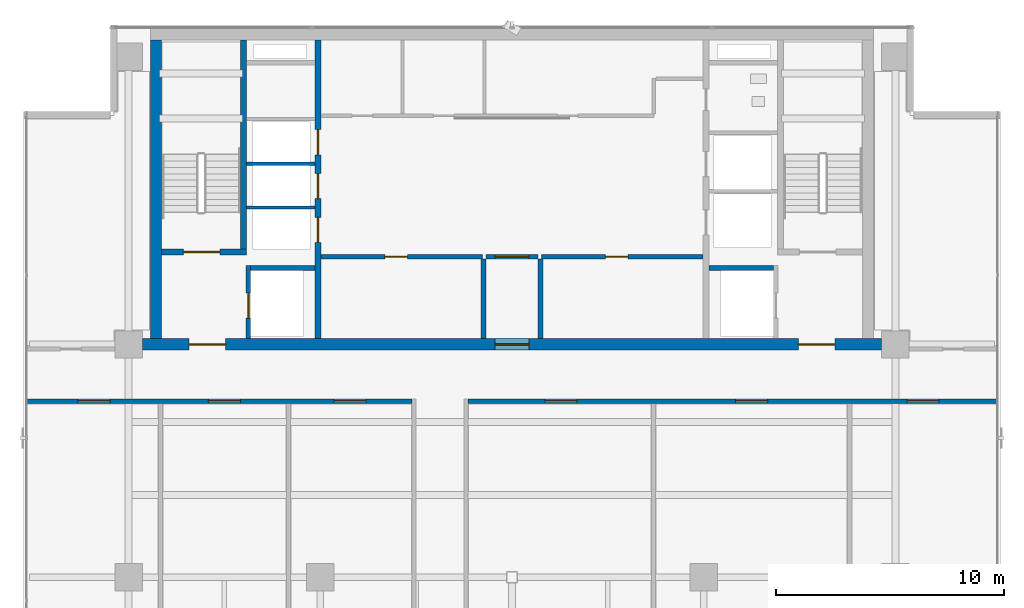
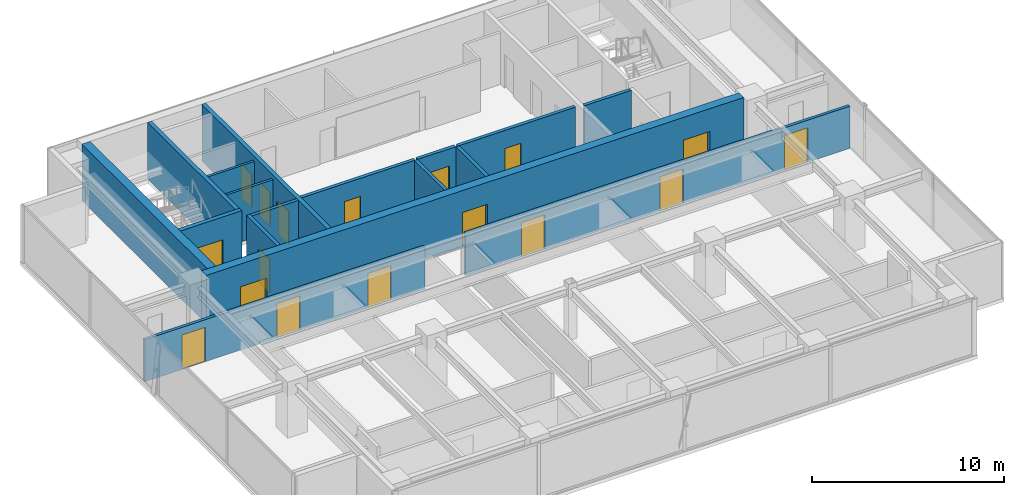
# One storey, part 15 of 21: 17 doors, 17 walls, 17 openings.
"""IFC4 building model written with IfcOpenShell, lengths in metres."""

from ifc_helpers import new_model, si_unit, direction, frame, frame_2d, origin, place, context, subcontext, project, spatial, rectangle, extrude, source, transform, mapped, material, layer, layer_set, type_object, element, fill, save


model = new_model("IFC4")

# Units and contexts
model_context = context("Model", 3, precision=1e-05, world=origin(), true_north=direction((0.0, 1.0)))
body_context = subcontext(model_context, "Body", "Model", "MODEL_VIEW")
ifc_project = project(units=[si_unit("LENGTHUNIT", "METRE"), si_unit("AREAUNIT", "SQUARE_METRE"), si_unit("VOLUMEUNIT", "CUBIC_METRE"), si_unit("PLANEANGLEUNIT", "RADIAN"), si_unit("MASSUNIT", "GRAM", prefix="KILO")], contexts=[model_context])

# Site, building, storey
site_placement = place(None, origin())
site = spatial("IfcSite", under=ifc_project, at=site_placement, CompositionType="ELEMENT")
building_placement = place(site_placement, origin())
building = spatial("IfcBuilding", under=site, at=building_placement, Name="Sumidabori Civic Tower", CompositionType="ELEMENT")
storey_placement = place(building_placement, frame((0.0, 0.0, 290.0)))
storey = spatial("IfcBuildingStorey", under=building, at=storey_placement, Name="L76", CompositionType="ELEMENT", Elevation=290.0)

# Walls
ifc_material_1 = material(Name="Concrete C50/60", Category="concrete")
ifc_layer_1 = layer(ifc_material_1, 0.199951171875, Name="Concrete C50/60")
ifc_layer_set_1 = layer_set([ifc_layer_1], Name="Concrete C50/60")
wall_type_1 = type_object("IfcWallType", Name="WL-SHAFT-200", PredefinedType="SHEAR", material=ifc_layer_set_1)
shared_shape_1 = source(origin(), body_context, "Body", "SweptSolid", [
    extrude(rectangle(XDim=2.824951171875, YDim=0.199951171875, at=frame_2d((1.41259765625, 0.0))), origin(), (0.0, 0.0, 1.0), 3.60009765625),
])
for number, where, z_axis, x_axis, name in (
    (1, (-11.449951171875, 13.550048828125, 0.0), (0.0, 0.0, 1.0), (1.0, 0.0, 0.0), "Core Shear Wall L76 EL1-N"),
    (2, (8.625, 13.550048828125, 0.0), (0.0, 0.0, 1.0), (1.0, 0.0, 0.0), "Core Shear Wall L76 EL2-N"),
):
    element("IfcWall", number, at=place(storey_placement, frame(where, z_axis=z_axis, x_axis=x_axis)), inside=storey, type_object=wall_type_1, Name=name, PredefinedType="SHEAR", context=body_context, shape_type="MappedRepresentation", body=[
        mapped(shared_shape_1, transform((0.0, 0.0, 0.0), x_axis=(1.0, 0.0, 0.0), y_axis=(0.0, 1.0, 0.0), z_axis=(0.0, 0.0, 1.0), scale=1.0)),
    ])
ifc_layer_2 = layer(ifc_material_1, 0.5, Name="Concrete C50/60")
ifc_layer_set_2 = layer_set([ifc_layer_2], Name="Concrete C50/60")
wall_type_2 = type_object("IfcWallType", Name="WL-CORE-500", PredefinedType="SHEAR", material=ifc_layer_set_2)
shared_shape_2 = source(origin(), body_context, "Body", "SweptSolid", [
    extrude(rectangle(XDim=13.10009765625, YDim=0.5, at=frame_2d((6.550048828125, 0.0))), origin(), (0.0, 0.0, 1.0), 3.60009765625),
])
wall_1_placement = place(storey_placement, frame((-15.60009765625, 10.449951171875, 0.0), z_axis=(0.0, 0.0, 1.0), x_axis=(0.0, 1.0, 0.0)))
element("IfcWall", 3, at=wall_1_placement, inside=storey, type_object=wall_type_2, Name="Core Shear Wall L76 W", PredefinedType="SHEAR", context=body_context, shape_type="MappedRepresentation", body=[
    mapped(shared_shape_2, transform((0.0, 0.0, 0.0), x_axis=(1.0, 0.0, 0.0), y_axis=(0.0, 1.0, 0.0), z_axis=(0.0, 0.0, 1.0), scale=1.0)),
])

# Wall, openings, doors
ifc_layer_3 = layer(ifc_material_1, 0.25, Name="Concrete C50/60")
ifc_layer_set_3 = layer_set([ifc_layer_3], Name="Concrete C50/60")
wall_type_3 = type_object("IfcWallType", Name="WL-SHAFT-250", PredefinedType="SHEAR", material=ifc_layer_set_3)
shared_shape_3 = source(origin(), body_context, "Body", "SweptSolid", [
    extrude(rectangle(XDim=13.10009765625, YDim=0.25, at=frame_2d((6.550048828125, 0.0))), origin(), (0.0, 0.0, 1.0), 3.60009765625),
])
wall_2_placement = place(storey_placement, frame((-8.5, 10.449951171875, 0.0), z_axis=(0.0, 0.0, 1.0), x_axis=(0.0, 1.0, 0.0)))
wall_2 = element("IfcWall", 4, at=wall_2_placement, inside=storey, type_object=wall_type_3, Name="Core Shear Wall L76 WEB-W", PredefinedType="SHEAR", context=body_context, shape_type="MappedRepresentation", body=[
    mapped(shared_shape_3, transform((0.0, 0.0, 0.0), x_axis=(1.0, 0.0, 0.0), y_axis=(0.0, 1.0, 0.0), z_axis=(0.0, 0.0, 1.0), scale=1.0)),
])
opening_1_placement = place(wall_2_placement, frame((4.219970703125, 0.0, 0.0)))
opening_1 = element("IfcOpeningElement", 5, at=opening_1_placement, cuts=wall_2, Name="Opening LD-1", PredefinedType="OPENING", context=body_context, shape_type="SweptSolid", body=[
    extrude(rectangle(XDim=1.10009765625, YDim=2.14990234375, at=frame_2d((0.550048828125, 1.074951171875))), frame((0.0, 0.136962890625, 0.0), z_axis=(0.0, -1.0, 0.0), x_axis=(1.0, 0.0, 0.0)), (0.0, 0.0, 1.0), 0.27392578125),
])
opening_2_placement = place(wall_2_placement, frame((6.139892578125, 0.0, 0.0)))
opening_2 = element("IfcOpeningElement", 6, at=opening_2_placement, cuts=wall_2, Name="Opening LD-1", PredefinedType="OPENING", context=body_context, shape_type="SweptSolid", body=[
    extrude(rectangle(XDim=1.10009765625, YDim=2.14990234375, at=frame_2d((0.550048828125, 1.074951171875))), frame((0.0, 0.136962890625, 0.0), z_axis=(0.0, -1.0, 0.0), x_axis=(1.0, 0.0, 0.0)), (0.0, 0.0, 1.0), 0.27392578125),
])
opening_3_placement = place(wall_2_placement, frame((8.06005859375, 0.0, 0.0)))
opening_3 = element("IfcOpeningElement", 7, at=opening_3_placement, cuts=wall_2, Name="Opening LD-1", PredefinedType="OPENING", context=body_context, shape_type="SweptSolid", body=[
    extrude(rectangle(XDim=1.10009765625, YDim=2.14990234375, at=frame_2d((0.550048828125, 1.074951171875))), frame((0.0, 0.136962890625, 0.0), z_axis=(0.0, -1.0, 0.0), x_axis=(1.0, 0.0, 0.0)), (0.0, 0.0, 1.0), 0.27392578125),
])
ifc_material_2 = material(Name="Stainless Steel Hairline Finish", Category="steel")
door_type_1 = type_object("IfcDoorType", Name="DR-LD1", OperationType="DOUBLE_DOOR_SLIDING", PredefinedType="DOOR", material=ifc_material_2)
shared_shape_4 = source(origin(), body_context, "Body", "SweptSolid", [
    extrude(rectangle(XDim=1.10009765625, YDim=2.14990234375, at=frame_2d((0.550048828125, 1.074951171875))), frame((0.0, 0.02490234375, 0.0), z_axis=(0.0, -1.0, 0.0), x_axis=(1.0, 0.0, 0.0)), (0.0, 0.0, 1.0), 0.050048828125),
])
door_1_placement = place(opening_1_placement, origin())
door_1 = element("IfcDoor", 8, at=door_1_placement, inside=storey, type_object=door_type_1, Name="Door DR:L76:LD-PLH1", OperationType="DOUBLE_DOOR_SLIDING", OverallHeight=2.14990234375, OverallWidth=1.10009765625, PredefinedType="DOOR", context=body_context, shape_type="MappedRepresentation", body=[
    mapped(shared_shape_4, transform((0.0, 0.0, 0.0), x_axis=(1.0, 0.0, 0.0), y_axis=(0.0, 1.0, 0.0), z_axis=(0.0, 0.0, 1.0), scale=1.0)),
])
fill(opening_1, door_1)
door_2_placement = place(opening_2_placement, origin())
door_2 = element("IfcDoor", 9, at=door_2_placement, inside=storey, type_object=door_type_1, Name="Door DR:L76:LD-PLH2", OperationType="DOUBLE_DOOR_SLIDING", OverallHeight=2.14990234375, OverallWidth=1.10009765625, PredefinedType="DOOR", context=body_context, shape_type="MappedRepresentation", body=[
    mapped(shared_shape_4, transform((0.0, 0.0, 0.0), x_axis=(1.0, 0.0, 0.0), y_axis=(0.0, 1.0, 0.0), z_axis=(0.0, 0.0, 1.0), scale=1.0)),
])
fill(opening_2, door_2)
door_3_placement = place(opening_3_placement, origin())
door_3 = element("IfcDoor", 10, at=door_3_placement, inside=storey, type_object=door_type_1, Name="Door DR:L76:LD-PLH3", OperationType="DOUBLE_DOOR_SLIDING", OverallHeight=2.14990234375, OverallWidth=1.10009765625, PredefinedType="DOOR", context=body_context, shape_type="MappedRepresentation", body=[
    mapped(shared_shape_4, transform((0.0, 0.0, 0.0), x_axis=(1.0, 0.0, 0.0), y_axis=(0.0, 1.0, 0.0), z_axis=(0.0, 0.0, 1.0), scale=1.0)),
])
fill(opening_3, door_3)

# Wall, opening, door
shared_shape_5 = source(origin(), body_context, "Body", "SweptSolid", [
    extrude(rectangle(XDim=3.705078125, YDim=0.25, at=frame_2d((1.8525390625, 0.0))), origin(), (0.0, 0.0, 1.0), 3.60009765625),
])
wall_3_placement = place(storey_placement, frame((-15.35009765625, 14.25, 0.0), z_axis=(0.0, 0.0, 1.0), x_axis=(1.0, 0.0, 0.0)))
wall_3 = element("IfcWall", 11, at=wall_3_placement, inside=storey, type_object=wall_type_3, Name="Core Shear Wall L76 ST1-S", PredefinedType="SHEAR", context=body_context, shape_type="MappedRepresentation", body=[
    mapped(shared_shape_5, transform((0.0, 0.0, 0.0), x_axis=(1.0, 0.0, 0.0), y_axis=(0.0, 1.0, 0.0), z_axis=(0.0, 0.0, 1.0), scale=1.0)),
])
opening_4_placement = place(wall_3_placement, frame((0.949951171875, 0.0, 0.0)))
opening_4 = element("IfcOpeningElement", 12, at=opening_4_placement, cuts=wall_3, Name="Opening DR-FD4", PredefinedType="OPENING", context=body_context, shape_type="SweptSolid", body=[
    extrude(rectangle(XDim=1.60009765625, YDim=2.14990234375, at=frame_2d((0.800048828125, 1.074951171875))), frame((0.0, 0.136962890625, 0.0), z_axis=(0.0, -1.0, 0.0), x_axis=(1.0, 0.0, 0.0)), (0.0, 0.0, 1.0), 0.27392578125),
])
ifc_material_3 = material(Name="Steel SN490", Category="steel")
door_type_2 = type_object("IfcDoorType", Name="DR-FD4", OperationType="DOUBLE_DOOR_SINGLE_SWING", PredefinedType="DOOR", material=ifc_material_3)
shared_shape_6 = source(origin(), body_context, "Body", "SweptSolid", [
    extrude(rectangle(XDim=1.60009765625, YDim=2.14990234375, at=frame_2d((0.800048828125, 1.074951171875))), frame((0.0, 0.02490234375, 0.0), z_axis=(0.0, -1.0, 0.0), x_axis=(1.0, 0.0, 0.0)), (0.0, 0.0, 1.0), 0.050048828125),
])
door_4_placement = place(opening_4_placement, origin())
door_4 = element("IfcDoor", 13, at=door_4_placement, inside=storey, type_object=door_type_2, Name="Door DR:L76:ST1", OperationType="DOUBLE_DOOR_SINGLE_SWING", OverallHeight=2.14990234375, OverallWidth=1.60009765625, PredefinedType="DOOR", context=body_context, shape_type="MappedRepresentation", body=[
    mapped(shared_shape_6, transform((0.0, 0.0, 0.0), x_axis=(1.0, 0.0, 0.0), y_axis=(0.0, 1.0, 0.0), z_axis=(0.0, 0.0, 1.0), scale=1.0)),
])
fill(opening_4, door_4)

# Wall
shared_shape_7 = source(origin(), body_context, "Body", "SweptSolid", [
    extrude(rectangle(XDim=9.175048828125, YDim=0.25, at=frame_2d((4.58740234375, 0.0))), origin(), (0.0, 0.0, 1.0), 3.60009765625),
])
wall_4_placement = place(storey_placement, frame((-11.77001953125, 14.375, 0.0), z_axis=(0.0, 0.0, 1.0), x_axis=(0.0, 1.0, 0.0)))
element("IfcWall", 14, at=wall_4_placement, inside=storey, type_object=wall_type_3, Name="Core Shear Wall L76 ST1-E", PredefinedType="SHEAR", context=body_context, shape_type="MappedRepresentation", body=[
    mapped(shared_shape_7, transform((0.0, 0.0, 0.0), x_axis=(1.0, 0.0, 0.0), y_axis=(0.0, 1.0, 0.0), z_axis=(0.0, 0.0, 1.0), scale=1.0)),
])

# Wall, opening, door
shared_shape_8 = source(origin(), body_context, "Body", "SweptSolid", [
    extrude(rectangle(XDim=3.199951171875, YDim=0.199951171875, at=frame_2d((1.60009765625, 0.0))), origin(), (0.0, 0.0, 1.0), 3.60009765625),
])
wall_5_placement = place(storey_placement, frame((-11.550048828125, 10.449951171875, 0.0), z_axis=(0.0, 0.0, 1.0), x_axis=(0.0, 1.0, 0.0)))
wall_5 = element("IfcWall", 15, at=wall_5_placement, inside=storey, type_object=wall_type_1, Name="Core Shear Wall L76 EL1-W", PredefinedType="SHEAR", context=body_context, shape_type="MappedRepresentation", body=[
    mapped(shared_shape_8, transform((0.0, 0.0, 0.0), x_axis=(1.0, 0.0, 0.0), y_axis=(0.0, 1.0, 0.0), z_axis=(0.0, 0.0, 1.0), scale=1.0)),
])
opening_5_placement = place(wall_5_placement, frame((0.89990234375, 0.0, 0.0)))
opening_5 = element("IfcOpeningElement", 16, at=opening_5_placement, cuts=wall_5, Name="Opening LD-2", PredefinedType="OPENING", context=body_context, shape_type="SweptSolid", body=[
    extrude(rectangle(XDim=1.10009765625, YDim=2.14990234375, at=frame_2d((0.550048828125, 1.074951171875))), frame((0.0, 0.11181640625, 0.0), z_axis=(0.0, -1.0, 0.0), x_axis=(1.0, 0.0, 0.0)), (0.0, 0.0, 1.0), 0.223876953125),
])
door_type_3 = type_object("IfcDoorType", Name="DR-LD2", OperationType="DOUBLE_DOOR_SLIDING", PredefinedType="DOOR", material=ifc_material_2)
door_5_placement = place(opening_5_placement, origin())
door_5 = element("IfcDoor", 17, at=door_5_placement, inside=storey, type_object=door_type_3, Name="Door DR:L76:LD-EL1", OperationType="DOUBLE_DOOR_SLIDING", OverallHeight=2.14990234375, OverallWidth=1.10009765625, PredefinedType="DOOR", context=body_context, shape_type="MappedRepresentation", body=[
    mapped(shared_shape_4, transform((0.0, 0.0, 0.0), x_axis=(1.0, 0.0, 0.0), y_axis=(0.0, 1.0, 0.0), z_axis=(0.0, 0.0, 1.0), scale=1.0)),
])
fill(opening_5, door_5)

# Wall, openings, doors
shared_shape_9 = source(origin(), body_context, "Body", "SweptSolid", [
    extrude(rectangle(XDim=32.39990234375, YDim=0.5, at=frame_2d((16.199951171875, 0.0))), origin(), (0.0, 0.0, 1.0), 3.60009765625),
])
wall_6_placement = place(storey_placement, frame((-16.199951171875, 10.199951171875, 0.0), z_axis=(0.0, 0.0, 1.0), x_axis=(1.0, 0.0, 0.0)))
wall_6 = element("IfcWall", 18, at=wall_6_placement, inside=storey, type_object=wall_type_2, Name="Core Shear Wall L76 S", PredefinedType="SHEAR", context=body_context, shape_type="MappedRepresentation", body=[
    mapped(shared_shape_9, transform((0.0, 0.0, 0.0), x_axis=(1.0, 0.0, 0.0), y_axis=(0.0, 1.0, 0.0), z_axis=(0.0, 0.0, 1.0), scale=1.0)),
])
opening_6_placement = place(wall_6_placement, frame((2.050048828125, 0.0, 0.0)))
opening_6 = element("IfcOpeningElement", 19, at=opening_6_placement, cuts=wall_6, Name="Opening DR-FD4", PredefinedType="OPENING", context=body_context, shape_type="SweptSolid", body=[
    extrude(rectangle(XDim=1.60009765625, YDim=2.14990234375, at=frame_2d((0.800048828125, 1.074951171875))), frame((0.0, 0.261962890625, 0.0), z_axis=(0.0, -1.0, 0.0), x_axis=(1.0, 0.0, 0.0)), (0.0, 0.0, 1.0), 0.52392578125),
])
opening_7_placement = place(wall_6_placement, frame((28.75, 0.0, 0.0)))
opening_7 = element("IfcOpeningElement", 20, at=opening_7_placement, cuts=wall_6, Name="Opening DR-FD4", PredefinedType="OPENING", context=body_context, shape_type="SweptSolid", body=[
    extrude(rectangle(XDim=1.60009765625, YDim=2.14990234375, at=frame_2d((0.800048828125, 1.074951171875))), frame((0.0, 0.261962890625, 0.0), z_axis=(0.0, -1.0, 0.0), x_axis=(1.0, 0.0, 0.0)), (0.0, 0.0, 1.0), 0.52392578125),
])
opening_8_placement = place(wall_6_placement, frame((15.449951171875, 0.0, 0.0)))
opening_8 = element("IfcOpeningElement", 21, at=opening_8_placement, cuts=wall_6, Name="Opening DR-FD3", PredefinedType="OPENING", context=body_context, shape_type="SweptSolid", body=[
    extrude(rectangle(XDim=1.5, YDim=2.199951171875, at=frame_2d((0.75, 1.10009765625))), frame((0.0, 0.261962890625, 0.0), z_axis=(0.0, -1.0, 0.0), x_axis=(1.0, 0.0, 0.0)), (0.0, 0.0, 1.0), 0.52392578125),
])
door_6_placement = place(opening_6_placement, origin())
door_6 = element("IfcDoor", 22, at=door_6_placement, inside=storey, type_object=door_type_2, Name="Door DR:L76:ELOB-W", OperationType="DOUBLE_DOOR_SINGLE_SWING", OverallHeight=2.14990234375, OverallWidth=1.60009765625, PredefinedType="DOOR", context=body_context, shape_type="MappedRepresentation", body=[
    mapped(shared_shape_6, transform((0.0, 0.0, 0.0), x_axis=(1.0, 0.0, 0.0), y_axis=(0.0, 1.0, 0.0), z_axis=(0.0, 0.0, 1.0), scale=1.0)),
])
fill(opening_6, door_6)
door_7_placement = place(opening_7_placement, origin())
door_7 = element("IfcDoor", 23, at=door_7_placement, inside=storey, type_object=door_type_2, Name="Door DR:L76:ELOB-E", OperationType="DOUBLE_DOOR_SINGLE_SWING", OverallHeight=2.14990234375, OverallWidth=1.60009765625, PredefinedType="DOOR", context=body_context, shape_type="MappedRepresentation", body=[
    mapped(shared_shape_6, transform((0.0, 0.0, 0.0), x_axis=(1.0, 0.0, 0.0), y_axis=(0.0, 1.0, 0.0), z_axis=(0.0, 0.0, 1.0), scale=1.0)),
])
fill(opening_7, door_7)
door_type_4 = type_object("IfcDoorType", Name="DR-FD-DBL", OperationType="DOUBLE_DOOR_SINGLE_SWING", PredefinedType="DOOR", material=ifc_material_3)
shared_shape_10 = source(origin(), body_context, "Body", "SweptSolid", [
    extrude(rectangle(XDim=1.5, YDim=2.199951171875, at=frame_2d((0.75, 1.10009765625))), frame((0.0, 0.02490234375, 0.0), z_axis=(0.0, -1.0, 0.0), x_axis=(1.0, 0.0, 0.0)), (0.0, 0.0, 1.0), 0.050048828125),
])
door_8_placement = place(opening_8_placement, origin())
door_8 = element("IfcDoor", 24, at=door_8_placement, inside=storey, type_object=door_type_4, Name="Door DR:L76:THROAT-OUT", OperationType="DOUBLE_DOOR_SINGLE_SWING", OverallHeight=2.199951171875, OverallWidth=1.5, PredefinedType="DOOR", context=body_context, shape_type="MappedRepresentation", body=[
    mapped(shared_shape_10, transform((0.0, 0.0, 0.0), x_axis=(1.0, 0.0, 0.0), y_axis=(0.0, 1.0, 0.0), z_axis=(0.0, 0.0, 1.0), scale=1.0)),
])
fill(opening_8, door_8)

# Walls
ifc_material_4 = material(Name="Gypsum Plasterboard Acoustic Partition")
ifc_layer_4 = layer(ifc_material_4, 0.14990234375, Name="Gypsum Plasterboard Acoustic Partition")
ifc_layer_set_4 = layer_set([ifc_layer_4], Name="Gypsum Plasterboard Acoustic Partition")
wall_type_4 = type_object("IfcWallType", Name="WL-PART-150", PredefinedType="PARTITIONING", material=ifc_layer_set_4)
shared_shape_11 = source(origin(), body_context, "Body", "SweptSolid", [
    extrude(rectangle(XDim=3.010009765625, YDim=0.14990234375, at=frame_2d((1.5048828125, 0.0))), origin(), (0.0, 0.0, 1.0), 3.300048828125),
])
for number, where, z_axis, x_axis, name in (
    (25, (-11.639892578125, 16.199951171875, 0.0), (0.0, 0.0, 1.0), (1.0, 0.0, 0.0), "Interior Partition WL:L76:DIV-PLH1"),
    (26, (-11.639892578125, 18.1201171875, 0.0), (0.0, 0.0, 1.0), (1.0, 0.0, 0.0), "Interior Partition WL:L76:DIV-PLH2"),
):
    element("IfcWall", number, at=place(storey_placement, frame(where, z_axis=z_axis, x_axis=x_axis)), inside=storey, type_object=wall_type_4, Name=name, PredefinedType="PARTITIONING", context=body_context, shape_type="MappedRepresentation", body=[
        mapped(shared_shape_11, transform((0.0, 0.0, 0.0), x_axis=(1.0, 0.0, 0.0), y_axis=(0.0, 1.0, 0.0), z_axis=(0.0, 0.0, 1.0), scale=1.0)),
    ])

# Wall, opening, door
ifc_material_5 = material(Name="Gypsum Plasterboard Fire Partition")
ifc_layer_5 = layer(ifc_material_5, 0.199951171875, Name="Gypsum Plasterboard Fire Partition")
ifc_layer_set_5 = layer_set([ifc_layer_5], Name="Gypsum Plasterboard Fire Partition")
wall_type_5 = type_object("IfcWallType", Name="WL-PART-FIRE", PredefinedType="PARTITIONING", material=ifc_layer_set_5)
shared_shape_12 = source(origin(), body_context, "Body", "SweptSolid", [
    extrude(rectangle(XDim=7.070068359375, YDim=0.199951171875, at=frame_2d((3.53515625, 0.0))), origin(), (0.0, 0.0, 1.0), 3.300048828125),
])
wall_7_placement = place(storey_placement, frame((-8.3701171875, 14.050048828125, 0.0), z_axis=(0.0, 0.0, 1.0), x_axis=(1.0, 0.0, 0.0)))
wall_7 = element("IfcWall", 27, at=wall_7_placement, inside=storey, type_object=wall_type_5, Name="Interior Partition WL:L76:CBAND-SW", PredefinedType="PARTITIONING", context=body_context, shape_type="MappedRepresentation", body=[
    mapped(shared_shape_12, transform((0.0, 0.0, 0.0), x_axis=(1.0, 0.0, 0.0), y_axis=(0.0, 1.0, 0.0), z_axis=(0.0, 0.0, 1.0), scale=1.0)),
])
opening_9_placement = place(wall_7_placement, frame((2.800048828125, 0.0, 0.0)))
opening_9 = element("IfcOpeningElement", 28, at=opening_9_placement, cuts=wall_7, Name="Opening DR-3", PredefinedType="OPENING", context=body_context, shape_type="SweptSolid", body=[
    extrude(rectangle(XDim=0.97998046875, YDim=2.14990234375, at=frame_2d((0.489990234375, 1.074951171875))), frame((0.0, 0.11181640625, 0.0), z_axis=(0.0, -1.0, 0.0), x_axis=(1.0, 0.0, 0.0)), (0.0, 0.0, 1.0), 0.223876953125),
])
ifc_material_6 = material(Name="Japanese Hinoki Timber", Category="wood")
door_type_5 = type_object("IfcDoorType", Name="DR-INT-980", OperationType="NOTDEFINED", PredefinedType="DOOR", material=ifc_material_6)
shared_shape_13 = source(origin(), body_context, "Body", "SweptSolid", [
    extrude(rectangle(XDim=0.97998046875, YDim=2.14990234375, at=frame_2d((0.489990234375, 1.074951171875))), frame((0.0, 0.02490234375, 0.0), z_axis=(0.0, -1.0, 0.0), x_axis=(1.0, 0.0, 0.0)), (0.0, 0.0, 1.0), 0.050048828125),
])
door_9_placement = place(opening_9_placement, origin())
door_9 = element("IfcDoor", 29, at=door_9_placement, inside=storey, type_object=door_type_5, Name="Door DR:L76:REC-B1", OperationType="SINGLE_SWING_LEFT", OverallHeight=2.14990234375, OverallWidth=0.97998046875, PredefinedType="DOOR", context=body_context, shape_type="MappedRepresentation", body=[
    mapped(shared_shape_13, transform((0.0, 0.0, 0.0), x_axis=(1.0, 0.0, 0.0), y_axis=(0.0, 1.0, 0.0), z_axis=(0.0, 0.0, 1.0), scale=1.0)),
])
fill(opening_9, door_9)

wall_8_placement = place(storey_placement, frame((1.300048828125, 14.050048828125, 0.0), z_axis=(0.0, 0.0, 1.0), x_axis=(1.0, 0.0, 0.0)))
wall_8 = element("IfcWall", 30, at=wall_8_placement, inside=storey, type_object=wall_type_5, Name="Interior Partition WL:L76:CBAND-SE", PredefinedType="PARTITIONING", context=body_context, shape_type="MappedRepresentation", body=[
    mapped(shared_shape_12, transform((0.0, 0.0, 0.0), x_axis=(1.0, 0.0, 0.0), y_axis=(0.0, 1.0, 0.0), z_axis=(0.0, 0.0, 1.0), scale=1.0)),
])
opening_10_placement = place(wall_8_placement, frame((2.800048828125, 0.0, 0.0)))
opening_10 = element("IfcOpeningElement", 31, at=opening_10_placement, cuts=wall_8, Name="Opening DR-3", PredefinedType="OPENING", context=body_context, shape_type="SweptSolid", body=[
    extrude(rectangle(XDim=0.97998046875, YDim=2.14990234375, at=frame_2d((0.489990234375, 1.074951171875))), frame((0.0, 0.11181640625, 0.0), z_axis=(0.0, -1.0, 0.0), x_axis=(1.0, 0.0, 0.0)), (0.0, 0.0, 1.0), 0.223876953125),
])
door_10_placement = place(opening_10_placement, origin())
door_10 = element("IfcDoor", 32, at=door_10_placement, inside=storey, type_object=door_type_5, Name="Door DR:L76:REC-B2", OperationType="SINGLE_SWING_RIGHT", OverallHeight=2.14990234375, OverallWidth=0.97998046875, PredefinedType="DOOR", context=body_context, shape_type="MappedRepresentation", body=[
    mapped(shared_shape_13, transform((0.0, 0.0, 0.0), x_axis=(1.0, 0.0, 0.0), y_axis=(0.0, 1.0, 0.0), z_axis=(0.0, 0.0, 1.0), scale=1.0)),
])
fill(opening_10, door_10)

shared_shape_14 = source(origin(), body_context, "Body", "SweptSolid", [
    extrude(rectangle(XDim=2.2998046875, YDim=0.199951171875, at=frame_2d((1.14990234375, 0.0))), origin(), (0.0, 0.0, 1.0), 3.300048828125),
])
wall_9_placement = place(storey_placement, frame((-1.14990234375, 14.050048828125, 0.0), z_axis=(0.0, 0.0, 1.0), x_axis=(1.0, 0.0, 0.0)))
wall_9 = element("IfcWall", 33, at=wall_9_placement, inside=storey, type_object=wall_type_5, Name="Interior Partition WL:L76:THROAT-N", PredefinedType="PARTITIONING", context=body_context, shape_type="MappedRepresentation", body=[
    mapped(shared_shape_14, transform((0.0, 0.0, 0.0), x_axis=(1.0, 0.0, 0.0), y_axis=(0.0, 1.0, 0.0), z_axis=(0.0, 0.0, 1.0), scale=1.0)),
])
opening_11_placement = place(wall_9_placement, frame((0.39990234375, 0.0, 0.0)))
opening_11 = element("IfcOpeningElement", 34, at=opening_11_placement, cuts=wall_9, Name="Opening DR-FD3", PredefinedType="OPENING", context=body_context, shape_type="SweptSolid", body=[
    extrude(rectangle(XDim=1.5, YDim=2.199951171875, at=frame_2d((0.75, 1.10009765625))), frame((0.0, 0.11181640625, 0.0), z_axis=(0.0, -1.0, 0.0), x_axis=(1.0, 0.0, 0.0)), (0.0, 0.0, 1.0), 0.223876953125),
])
door_11_placement = place(opening_11_placement, origin())
door_11 = element("IfcDoor", 35, at=door_11_placement, inside=storey, type_object=door_type_4, Name="Door DR:L76:THROAT-IN", OperationType="DOUBLE_DOOR_SINGLE_SWING", OverallHeight=2.199951171875, OverallWidth=1.5, PredefinedType="DOOR", context=body_context, shape_type="MappedRepresentation", body=[
    mapped(shared_shape_10, transform((0.0, 0.0, 0.0), x_axis=(1.0, 0.0, 0.0), y_axis=(0.0, 1.0, 0.0), z_axis=(0.0, 0.0, 1.0), scale=1.0)),
])
fill(opening_11, door_11)

# Walls
shared_shape_15 = source(origin(), body_context, "Body", "SweptSolid", [
    extrude(rectangle(XDim=3.489990234375, YDim=0.199951171875, at=frame_2d((1.7451171875, 0.0))), origin(), (0.0, 0.0, 1.0), 3.300048828125),
])
for number, where, z_axis, x_axis, name in (
    (36, (-1.25, 10.449951171875, 0.0), (0.0, 0.0, 1.0), (0.0, 1.0, 0.0), "Interior Partition WL:L76:THROAT-W"),
    (37, (1.25, 10.449951171875, 0.0), (0.0, 0.0, 1.0), (0.0, 1.0, 0.0), "Interior Partition WL:L76:THROAT-E"),
):
    element("IfcWall", number, at=place(storey_placement, frame(where, z_axis=z_axis, x_axis=x_axis)), inside=storey, type_object=wall_type_5, Name=name, PredefinedType="PARTITIONING", context=body_context, shape_type="MappedRepresentation", body=[
        mapped(shared_shape_15, transform((0.0, 0.0, 0.0), x_axis=(1.0, 0.0, 0.0), y_axis=(0.0, 1.0, 0.0), z_axis=(0.0, 0.0, 1.0), scale=1.0)),
    ])

# Wall, openings, doors
ifc_layer_6 = layer(ifc_material_4, 0.179931640625, Name="Gypsum Plasterboard Acoustic Partition")
ifc_layer_set_6 = layer_set([ifc_layer_6], Name="Gypsum Plasterboard Acoustic Partition")
wall_type_6 = type_object("IfcWallType", Name="WL-PART-180", PredefinedType="PARTITIONING", material=ifc_layer_set_6)
shared_shape_16 = source(origin(), body_context, "Body", "SweptSolid", [
    extrude(rectangle(XDim=16.8701171875, YDim=0.179931640625, at=frame_2d((8.43505859375, 0.0))), origin(), (0.0, 0.0, 1.0), 2.68505859375),
])
wall_10_placement = place(storey_placement, frame((-21.25, 7.7099609375, 0.0), z_axis=(0.0, 0.0, 1.0), x_axis=(1.0, 0.0, 0.0)))
wall_10 = element("IfcWall", 38, at=wall_10_placement, inside=storey, type_object=wall_type_6, Name="Interior Partition WL:L76:CORR-SW", PredefinedType="PARTITIONING", context=body_context, shape_type="MappedRepresentation", body=[
    mapped(shared_shape_16, transform((0.0, 0.0, 0.0), x_axis=(1.0, 0.0, 0.0), y_axis=(0.0, 1.0, 0.0), z_axis=(0.0, 0.0, 1.0), scale=1.0)),
])
opening_12_placement = place(wall_10_placement, frame((13.445068359375, 0.0, 0.0)))
opening_12 = element("IfcOpeningElement", 39, at=opening_12_placement, cuts=wall_10, Name="Opening DR-5", PredefinedType="OPENING", context=body_context, shape_type="SweptSolid", body=[
    extrude(rectangle(XDim=1.39990234375, YDim=2.199951171875, at=frame_2d((0.699951171875, 1.10009765625))), frame((0.0, 0.10205078125, 0.0), z_axis=(0.0, -1.0, 0.0), x_axis=(1.0, 0.0, 0.0)), (0.0, 0.0, 1.0), 0.203857421875),
])
opening_13_placement = place(wall_10_placement, frame((7.949951171875, 0.0, 0.0)))
opening_13 = element("IfcOpeningElement", 40, at=opening_13_placement, cuts=wall_10, Name="Opening DR-5", PredefinedType="OPENING", context=body_context, shape_type="SweptSolid", body=[
    extrude(rectangle(XDim=1.39990234375, YDim=2.199951171875, at=frame_2d((0.699951171875, 1.10009765625))), frame((0.0, 0.10205078125, 0.0), z_axis=(0.0, -1.0, 0.0), x_axis=(1.0, 0.0, 0.0)), (0.0, 0.0, 1.0), 0.203857421875),
])
opening_14_placement = place(wall_10_placement, frame((2.239990234375, 0.0, 0.0)))
opening_14 = element("IfcOpeningElement", 41, at=opening_14_placement, cuts=wall_10, Name="Opening DR-5", PredefinedType="OPENING", context=body_context, shape_type="SweptSolid", body=[
    extrude(rectangle(XDim=1.39990234375, YDim=2.199951171875, at=frame_2d((0.699951171875, 1.10009765625))), frame((0.0, 0.10205078125, 0.0), z_axis=(0.0, -1.0, 0.0), x_axis=(1.0, 0.0, 0.0)), (0.0, 0.0, 1.0), 0.203857421875),
])
ifc_material_7 = material(Name="Anodised Bronze Aluminium AW-6063-T6", Category="aluminium")
door_type_6 = type_object("IfcDoorType", Name="DR-DBL-1400", OperationType="DOUBLE_DOOR_SINGLE_SWING", PredefinedType="DOOR", material=ifc_material_7)
shared_shape_17 = source(origin(), body_context, "Body", "SweptSolid", [
    extrude(rectangle(XDim=1.39990234375, YDim=2.199951171875, at=frame_2d((0.699951171875, 1.10009765625))), frame((0.0, 0.02490234375, 0.0), z_axis=(0.0, -1.0, 0.0), x_axis=(1.0, 0.0, 0.0)), (0.0, 0.0, 1.0), 0.050048828125),
])
door_12_placement = place(opening_12_placement, origin())
door_12 = element("IfcDoor", 42, at=door_12_placement, inside=storey, type_object=door_type_6, Name="Door DR:L76:D03", OperationType="DOUBLE_DOOR_SINGLE_SWING", OverallHeight=2.199951171875, OverallWidth=1.39990234375, PredefinedType="DOOR", context=body_context, shape_type="MappedRepresentation", body=[
    mapped(shared_shape_17, transform((0.0, 0.0, 0.0), x_axis=(1.0, 0.0, 0.0), y_axis=(0.0, 1.0, 0.0), z_axis=(0.0, 0.0, 1.0), scale=1.0)),
])
fill(opening_12, door_12)
door_13_placement = place(opening_13_placement, origin())
door_13 = element("IfcDoor", 43, at=door_13_placement, inside=storey, type_object=door_type_6, Name="Door DR:L76:D04", OperationType="DOUBLE_DOOR_SINGLE_SWING", OverallHeight=2.199951171875, OverallWidth=1.39990234375, PredefinedType="DOOR", context=body_context, shape_type="MappedRepresentation", body=[
    mapped(shared_shape_17, transform((0.0, 0.0, 0.0), x_axis=(1.0, 0.0, 0.0), y_axis=(0.0, 1.0, 0.0), z_axis=(0.0, 0.0, 1.0), scale=1.0)),
])
fill(opening_13, door_13)
door_14_placement = place(opening_14_placement, origin())
door_14 = element("IfcDoor", 44, at=door_14_placement, inside=storey, type_object=door_type_6, Name="Door DR:L76:D07", OperationType="DOUBLE_DOOR_SINGLE_SWING", OverallHeight=2.199951171875, OverallWidth=1.39990234375, PredefinedType="DOOR", context=body_context, shape_type="MappedRepresentation", body=[
    mapped(shared_shape_17, transform((0.0, 0.0, 0.0), x_axis=(1.0, 0.0, 0.0), y_axis=(0.0, 1.0, 0.0), z_axis=(0.0, 0.0, 1.0), scale=1.0)),
])
fill(opening_14, door_14)

shared_shape_18 = source(origin(), body_context, "Body", "SweptSolid", [
    extrude(rectangle(XDim=23.169921875, YDim=0.179931640625, at=frame_2d((11.5849609375, 0.0))), origin(), (0.0, 0.0, 1.0), 2.68505859375),
])
wall_11_placement = place(storey_placement, frame((-1.919921875, 7.7099609375, 0.0), z_axis=(0.0, 0.0, 1.0), x_axis=(1.0, 0.0, 0.0)))
wall_11 = element("IfcWall", 45, at=wall_11_placement, inside=storey, type_object=wall_type_6, Name="Interior Partition WL:L76:CORR-SE", PredefinedType="PARTITIONING", context=body_context, shape_type="MappedRepresentation", body=[
    mapped(shared_shape_18, transform((0.0, 0.0, 0.0), x_axis=(1.0, 0.0, 0.0), y_axis=(0.0, 1.0, 0.0), z_axis=(0.0, 0.0, 1.0), scale=1.0)),
])
opening_15_placement = place(wall_11_placement, frame((3.375, 0.0, 0.0)))
opening_15 = element("IfcOpeningElement", 46, at=opening_15_placement, cuts=wall_11, Name="Opening DR-5", PredefinedType="OPENING", context=body_context, shape_type="SweptSolid", body=[
    extrude(rectangle(XDim=1.39990234375, YDim=2.199951171875, at=frame_2d((0.699951171875, 1.10009765625))), frame((0.0, 0.10205078125, 0.0), z_axis=(0.0, -1.0, 0.0), x_axis=(1.0, 0.0, 0.0)), (0.0, 0.0, 1.0), 0.203857421875),
])
opening_16_placement = place(wall_11_placement, frame((11.719970703125, 0.0, 0.0)))
opening_16 = element("IfcOpeningElement", 47, at=opening_16_placement, cuts=wall_11, Name="Opening DR-5", PredefinedType="OPENING", context=body_context, shape_type="SweptSolid", body=[
    extrude(rectangle(XDim=1.39990234375, YDim=2.199951171875, at=frame_2d((0.699951171875, 1.10009765625))), frame((0.0, 0.10205078125, 0.0), z_axis=(0.0, -1.0, 0.0), x_axis=(1.0, 0.0, 0.0)), (0.0, 0.0, 1.0), 0.203857421875),
])
opening_17_placement = place(wall_11_placement, frame((19.22998046875, 0.0, 0.0)))
opening_17 = element("IfcOpeningElement", 48, at=opening_17_placement, cuts=wall_11, Name="Opening DR-5", PredefinedType="OPENING", context=body_context, shape_type="SweptSolid", body=[
    extrude(rectangle(XDim=1.39990234375, YDim=2.199951171875, at=frame_2d((0.699951171875, 1.10009765625))), frame((0.0, 0.10205078125, 0.0), z_axis=(0.0, -1.0, 0.0), x_axis=(1.0, 0.0, 0.0)), (0.0, 0.0, 1.0), 0.203857421875),
])
door_15_placement = place(opening_15_placement, origin())
door_15 = element("IfcDoor", 49, at=door_15_placement, inside=storey, type_object=door_type_6, Name="Door DR:L76:D05", OperationType="DOUBLE_DOOR_SINGLE_SWING", OverallHeight=2.199951171875, OverallWidth=1.39990234375, PredefinedType="DOOR", context=body_context, shape_type="MappedRepresentation", body=[
    mapped(shared_shape_17, transform((0.0, 0.0, 0.0), x_axis=(1.0, 0.0, 0.0), y_axis=(0.0, 1.0, 0.0), z_axis=(0.0, 0.0, 1.0), scale=1.0)),
])
fill(opening_15, door_15)
door_16_placement = place(opening_16_placement, origin())
door_16 = element("IfcDoor", 50, at=door_16_placement, inside=storey, type_object=door_type_6, Name="Door DR:L76:D06", OperationType="DOUBLE_DOOR_SINGLE_SWING", OverallHeight=2.199951171875, OverallWidth=1.39990234375, PredefinedType="DOOR", context=body_context, shape_type="MappedRepresentation", body=[
    mapped(shared_shape_17, transform((0.0, 0.0, 0.0), x_axis=(1.0, 0.0, 0.0), y_axis=(0.0, 1.0, 0.0), z_axis=(0.0, 0.0, 1.0), scale=1.0)),
])
fill(opening_16, door_16)
door_17_placement = place(opening_17_placement, origin())
door_17 = element("IfcDoor", 51, at=door_17_placement, inside=storey, type_object=door_type_6, Name="Door DR:L76:D08", OperationType="DOUBLE_DOOR_SINGLE_SWING", OverallHeight=2.199951171875, OverallWidth=1.39990234375, PredefinedType="DOOR", context=body_context, shape_type="MappedRepresentation", body=[
    mapped(shared_shape_17, transform((0.0, 0.0, 0.0), x_axis=(1.0, 0.0, 0.0), y_axis=(0.0, 1.0, 0.0), z_axis=(0.0, 0.0, 1.0), scale=1.0)),
])
fill(opening_17, door_17)

save(model, "model.ifc")
